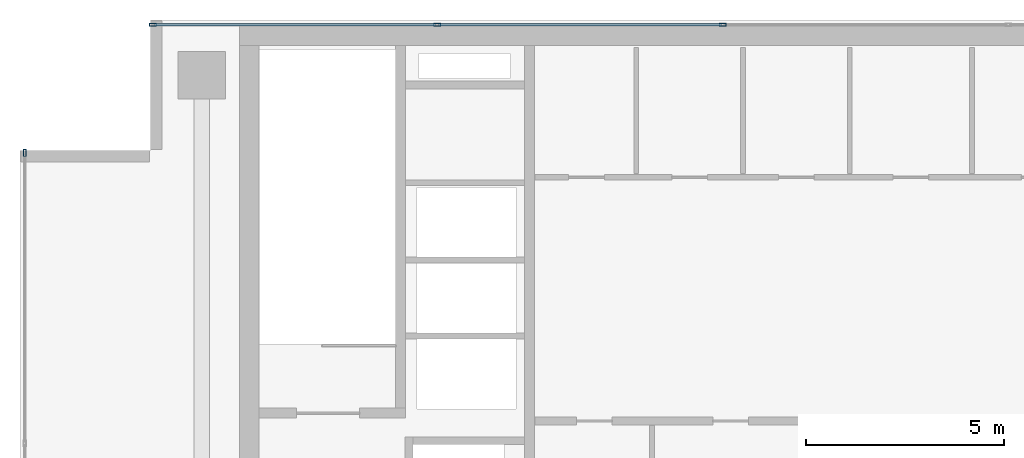
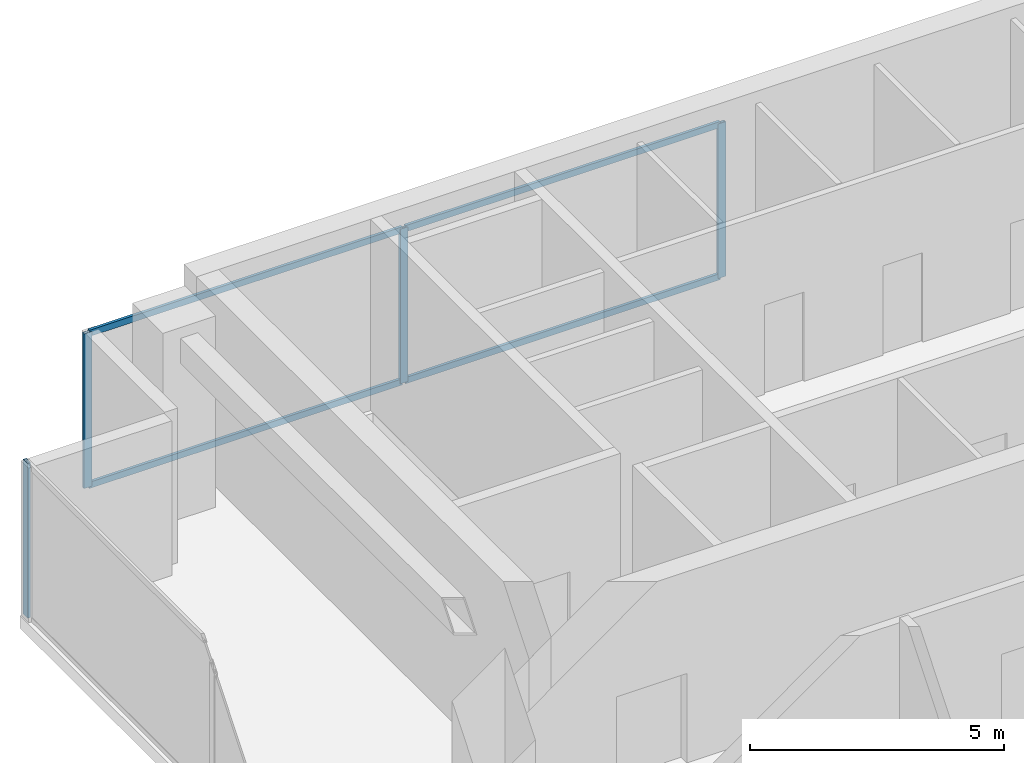
# One storey, part 12 of 19: 8 members, 2 elements without a shape of their own.
"""IFC4 building model written with IfcOpenShell, lengths in metres."""

from ifc_helpers import new_model, si_unit, direction, frame, origin, origin_2d, place, context, subcontext, project, spatial, hollow_rectangle, extrude, source, transform, mapped, material, layer, layer_set, material_profile, profile_set, type_object, element, aggregate, save


model = new_model("IFC4")

# Units and contexts
model_context = context("Model", 3, precision=1e-05, world=origin(), true_north=direction((0.0, 1.0)))
body_context = subcontext(model_context, "Body", "Model", "MODEL_VIEW")
ifc_project = project(units=[si_unit("LENGTHUNIT", "METRE"), si_unit("AREAUNIT", "SQUARE_METRE"), si_unit("VOLUMEUNIT", "CUBIC_METRE"), si_unit("PLANEANGLEUNIT", "RADIAN"), si_unit("MASSUNIT", "GRAM", prefix="KILO")], contexts=[model_context])

# Site, building, storey
site_placement = place(None, origin())
site = spatial("IfcSite", under=ifc_project, at=site_placement, CompositionType="ELEMENT")
building_placement = place(site_placement, origin())
building = spatial("IfcBuilding", under=site, at=building_placement, Name="Sumidabori Civic Tower", CompositionType="ELEMENT")
storey_placement = place(building_placement, frame((0.0, 0.0, 293.60009765625)))
storey = spatial("IfcBuildingStorey", under=building, at=storey_placement, Name="L77", CompositionType="ELEMENT", Elevation=293.60009765625)

# Curtain wall, members
ifc_material = material(Name="Anodised Bronze Aluminium AW-6063-T6", Category="aluminium")
ifc_layer = layer(ifc_material, 0.179931640625, Name="Anodised Bronze Aluminium AW-6063-T6")
ifc_layer_set = layer_set([ifc_layer], Name="Anodised Bronze Aluminium AW-6063-T6")
curtain_wall_type = type_object("IfcCurtainWallType", Name="CW-SYS-6", PredefinedType="NOTDEFINED", material=ifc_layer_set)
curtain_wall_1_placement = place(storey_placement, origin())
curtain_wall_1 = element("IfcCurtainWall", 1, at=curtain_wall_1_placement, inside=storey, type_object=curtain_wall_type, Name="Curtain Wall CW:L77:R07", PredefinedType="NOTDEFINED")
ifc_material_profile_1 = material_profile(ifc_material, hollow_rectangle(XDim=0.06494140625, YDim=0.14990234375, WallThickness=0.0048828125, at=origin_2d()), Name="ALU TRANSOM 150x65")
ifc_profile_set_1 = profile_set([ifc_material_profile_1], Name="Anodised Bronze Aluminium AW-6063-T6")
member_type_1 = type_object("IfcMemberType", Name="CW-TRN-150", PredefinedType="USERDEFINED", material=ifc_profile_set_1)
shared_shape_1 = source(origin(), body_context, "Body", "SweptSolid", [
    extrude(hollow_rectangle(XDim=0.06494140625, YDim=0.14990234375, WallThickness=0.0048828125, at=origin_2d()), origin(), (0.0, 0.0, 1.0), 7.123046875),
])
member_1_placement = place(storey_placement, frame((-10.876953125, 24.080078125, 0.032470703125), z_axis=(-1.0, 0.0, 0.0), x_axis=(0.0, -1.0, 0.0)))
member_1 = element("IfcMember", 2, at=member_1_placement, type_object=member_type_1, Name="CW-6 transom 5.1", ObjectType="TRANSOM", PredefinedType="USERDEFINED", context=body_context, shape_type="MappedRepresentation", body=[
    mapped(shared_shape_1, transform((0.0, 0.0, 0.0), x_axis=(1.0, 0.0, 0.0), y_axis=(0.0, 1.0, 0.0), z_axis=(0.0, 0.0, 1.0), scale=1.0)),
])
member_2_placement = place(storey_placement, frame((-10.876953125, 24.080078125, 3.6875), z_axis=(-1.0, 0.0, 0.0), x_axis=(0.0, -1.0, 0.0)))
member_2 = element("IfcMember", 3, at=member_2_placement, type_object=member_type_1, Name="CW-6 transom 5.2", ObjectType="TRANSOM", PredefinedType="USERDEFINED", context=body_context, shape_type="MappedRepresentation", body=[
    mapped(shared_shape_1, transform((0.0, 0.0, 0.0), x_axis=(1.0, 0.0, 0.0), y_axis=(0.0, 1.0, 0.0), z_axis=(0.0, 0.0, 1.0), scale=1.0)),
])
shared_shape_2 = source(origin(), body_context, "Body", "SweptSolid", [
    extrude(hollow_rectangle(XDim=0.06494140625, YDim=0.14990234375, WallThickness=0.0048828125, at=origin_2d()), origin(), (0.0, 0.0, 1.0), 7.157958984375),
])
member_3_placement = place(storey_placement, frame((-3.64892578125, 24.080078125, 0.032470703125), z_axis=(-1.0, 0.0, 0.0), x_axis=(0.0, -1.0, 0.0)))
member_3 = element("IfcMember", 4, at=member_3_placement, type_object=member_type_1, Name="CW-6 transom 4.1", ObjectType="TRANSOM", PredefinedType="USERDEFINED", context=body_context, shape_type="MappedRepresentation", body=[
    mapped(shared_shape_2, transform((0.0, 0.0, 0.0), x_axis=(1.0, 0.0, 0.0), y_axis=(0.0, 1.0, 0.0), z_axis=(0.0, 0.0, 1.0), scale=1.0)),
])
member_4_placement = place(storey_placement, frame((-3.64892578125, 24.080078125, 3.6875), z_axis=(-1.0, 0.0, 0.0), x_axis=(0.0, -1.0, 0.0)))
member_4 = element("IfcMember", 5, at=member_4_placement, type_object=member_type_1, Name="CW-6 transom 4.2", ObjectType="TRANSOM", PredefinedType="USERDEFINED", context=body_context, shape_type="MappedRepresentation", body=[
    mapped(shared_shape_2, transform((0.0, 0.0, 0.0), x_axis=(1.0, 0.0, 0.0), y_axis=(0.0, 1.0, 0.0), z_axis=(0.0, 0.0, 1.0), scale=1.0)),
])
ifc_material_profile_2 = material_profile(ifc_material, hollow_rectangle(XDim=0.070068359375, YDim=0.179931640625, WallThickness=0.006103515625, at=origin_2d()), Name="ALU MULLION 180x70")
ifc_profile_set_2 = profile_set([ifc_material_profile_2], Name="Anodised Bronze Aluminium AW-6063-T6")
member_type_2 = type_object("IfcMemberType", Name="CW-MUL-180", PredefinedType="MULLION", material=ifc_profile_set_2)
shared_shape_3 = source(origin(), body_context, "Body", "SweptSolid", [
    extrude(hollow_rectangle(XDim=0.070068359375, YDim=0.179931640625, WallThickness=0.006103515625, at=origin_2d()), origin(), (0.0, 0.0, 1.0), 3.719970703125),
])
member_5_placement = place(storey_placement, frame((-3.614013671875, 24.080078125, 0.0), z_axis=(0.0, 0.0, 1.0), x_axis=(0.0, -1.0, 0.0)))
member_5 = element("IfcMember", 6, at=member_5_placement, type_object=member_type_2, Name="CW-6 mullion 4", PredefinedType="MULLION", context=body_context, shape_type="MappedRepresentation", body=[
    mapped(shared_shape_3, transform((0.0, 0.0, 0.0), x_axis=(1.0, 0.0, 0.0), y_axis=(0.0, 1.0, 0.0), z_axis=(0.0, 0.0, 1.0), scale=1.0)),
])
member_6_placement = place(storey_placement, frame((-10.842041015625, 24.080078125, 0.0), z_axis=(0.0, 0.0, 1.0), x_axis=(0.0, -1.0, 0.0)))
member_6 = element("IfcMember", 7, at=member_6_placement, type_object=member_type_2, Name="CW-6 mullion 5", PredefinedType="MULLION", context=body_context, shape_type="MappedRepresentation", body=[
    mapped(shared_shape_3, transform((0.0, 0.0, 0.0), x_axis=(1.0, 0.0, 0.0), y_axis=(0.0, 1.0, 0.0), z_axis=(0.0, 0.0, 1.0), scale=1.0)),
])
member_7_placement = place(storey_placement, frame((-18.034912109375, 24.080078125, 0.0), z_axis=(0.0, 0.0, 1.0), x_axis=(0.0, -1.0, 0.0)))
member_7 = element("IfcMember", 8, at=member_7_placement, type_object=member_type_2, Name="CW-6 mullion 6", PredefinedType="MULLION", context=body_context, shape_type="MappedRepresentation", body=[
    mapped(shared_shape_3, transform((0.0, 0.0, 0.0), x_axis=(1.0, 0.0, 0.0), y_axis=(0.0, 1.0, 0.0), z_axis=(0.0, 0.0, 1.0), scale=1.0)),
])
aggregate(curtain_wall_1, [member_5, member_6, member_7, member_3, member_4, member_1, member_2])

# Curtain wall, member
curtain_wall_2_placement = place(storey_placement, origin())
curtain_wall_2 = element("IfcCurtainWall", 9, at=curtain_wall_2_placement, inside=storey, type_object=curtain_wall_type, Name="Curtain Wall CW:L77:R10", PredefinedType="NOTDEFINED")
member_8_placement = place(storey_placement, frame((-21.280029296875, 20.8349609375, 0.0), z_axis=(0.0, 0.0, 1.0), x_axis=(1.0, 0.0, 0.0)))
member_8 = element("IfcMember", 10, at=member_8_placement, type_object=member_type_2, Name="CW-6 mullion 1", PredefinedType="MULLION", context=body_context, shape_type="MappedRepresentation", body=[
    mapped(shared_shape_3, transform((0.0, 0.0, 0.0), x_axis=(1.0, 0.0, 0.0), y_axis=(0.0, 1.0, 0.0), z_axis=(0.0, 0.0, 1.0), scale=1.0)),
])
aggregate(curtain_wall_2, [member_8])

save(model, "model.ifc")
